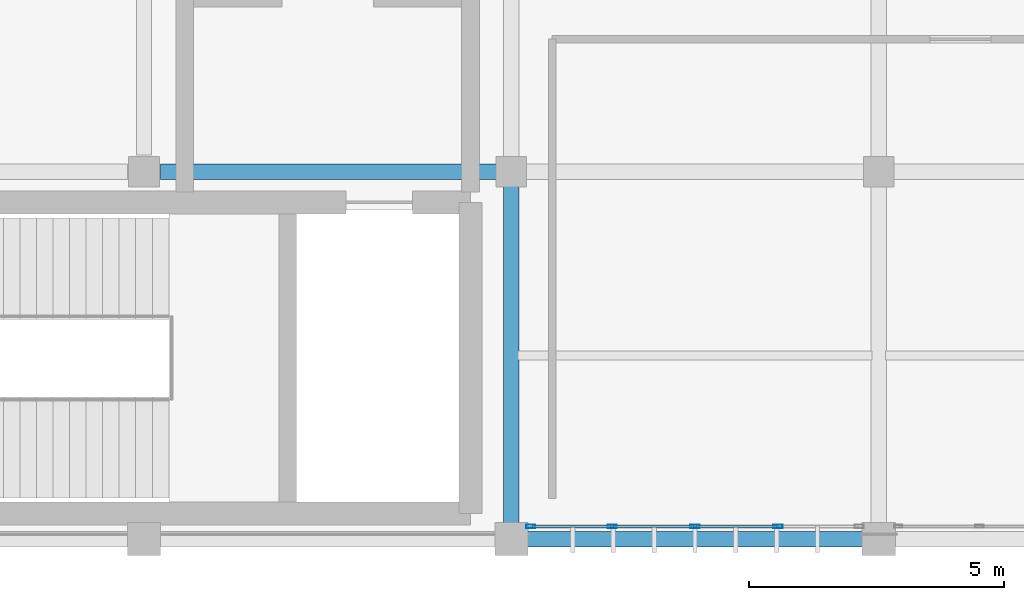
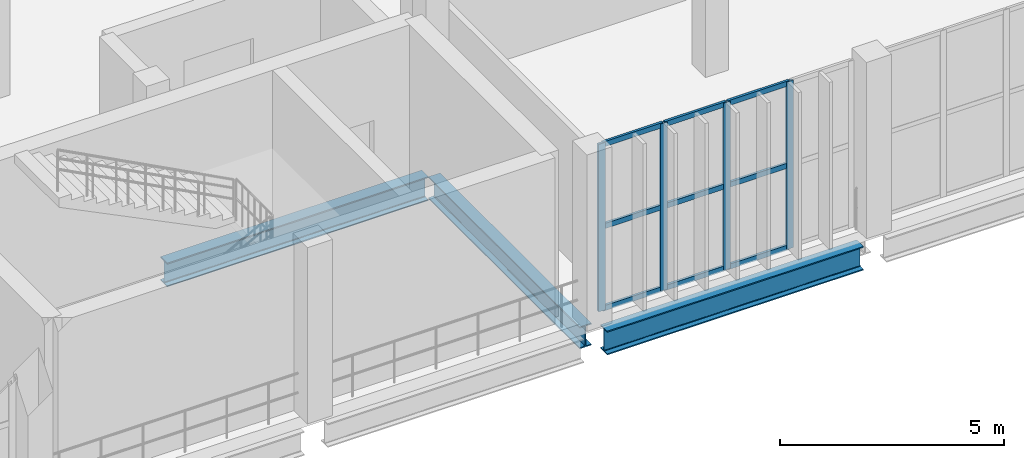
# One storey, part 21 of 105: 13 members, 3 beams, 1 element without a shape of its own.
"""IFC4 building model written with IfcOpenShell, lengths in metres."""

import ifcopenshell
import ifcopenshell.guid

model = None  # the IFC model being written
_history = None  # IfcOwnerHistory: only IFC2X3 demands one
_inside = {}  # id of a spatial element -> (the spatial element, [elements in it])
_under = {}  # id of a project, library or spatial element -> (it, [spatial elements below it])
_declared = {}  # id of a project -> (the project, [libraries it declares])
_typed = {}  # id of a type object -> (the type object, [elements of that type])
_made_of = {}  # id of a material, layer set ... -> (it, [elements and type objects made of it])


def new_model(schema):
    """Start an empty IFC model of exactly this schema.

    Asked for "IFC4X3", IfcOpenShell would pick the latest addendum, in which some entities
    have other attributes; the version numbers below select the first issue.
    IFC2X3 requires an IfcOwnerHistory on every rooted entity: one is made here for all.
    """
    global model, _history
    if schema == "IFC4X3":
        model = ifcopenshell.file(schema_version=(4, 3, 0, 0))
    else:
        model = ifcopenshell.file(schema=schema)
    _inside.clear()
    _under.clear()
    _declared.clear()
    _typed.clear()
    _made_of.clear()
    _history = None
    if model.schema == "IFC2X3":
        org = make("IfcOrganization", Name="unknown")
        user = make(
            "IfcPersonAndOrganization",
            ThePerson=make("IfcPerson", FamilyName="unknown"),
            TheOrganization=org,
        )
        app = make(
            "IfcApplication",
            ApplicationDeveloper=org,
            Version="unknown",
            ApplicationFullName="unknown",
            ApplicationIdentifier="unknown",
        )
        _history = make(
            "IfcOwnerHistory",
            OwningUser=user,
            OwningApplication=app,
            ChangeAction="ADDED",
            CreationDate=0,
        )
    return model


def make(cls, **values):
    """One entity of the class cls with the attributes given. An attribute that is None is left unset."""
    return model.create_entity(
        cls, **{name: value for name, value in values.items() if value is not None}
    )


def rooted(cls, **values):
    """An entity with a GlobalId (a new one), such as an element, a storey or a relation."""
    return make(cls, GlobalId=ifcopenshell.guid.new(), OwnerHistory=_history, **values)


def si_unit(unit_type, name, prefix=None):
    """IfcSIUnit, for example si_unit("LENGTHUNIT", "METRE", prefix="MILLI")."""
    return make("IfcSIUnit", UnitType=unit_type, Prefix=prefix, Name=name)


def assignment(units):
    """IfcUnitAssignment: the units of a project."""
    return None if units is None else make("IfcUnitAssignment", Units=units)


def point(xyz):
    """IfcCartesianPoint."""
    return None if xyz is None else make("IfcCartesianPoint", Coordinates=xyz)


def direction(xyz):
    """IfcDirection."""
    return None if xyz is None else make("IfcDirection", DirectionRatios=xyz)


def frame(location, z_axis=None, x_axis=None):
    """IfcAxis2Placement3D, a coordinate frame: its origin and axes. An axis left out is left unset."""
    return make(
        "IfcAxis2Placement3D",
        Location=point(location),
        Axis=direction(z_axis),
        RefDirection=direction(x_axis),
    )


def frame_2d(location, x_axis=None):
    """IfcAxis2Placement2D, a coordinate frame in the plane: its origin and x axis."""
    return make(
        "IfcAxis2Placement2D", Location=point(location), RefDirection=direction(x_axis)
    )


def origin():
    """The frame at (0, 0, 0) with its axes left unset."""
    return frame((0.0, 0.0, 0.0))


def origin_2d():
    """The frame at (0, 0) in the plane with its x axis left unset."""
    return frame_2d((0.0, 0.0))


def place(relative_to, where):
    """IfcLocalPlacement: puts the frame where relative to a parent placement (None: the world)."""
    return make(
        "IfcLocalPlacement", PlacementRelTo=relative_to, RelativePlacement=where
    )


def context(
    kind, dimensions, precision=None, world=None, true_north=None, identifier=None
):
    """IfcGeometricRepresentationContext, for example the 3D "Model" context."""
    return make(
        "IfcGeometricRepresentationContext",
        ContextIdentifier=identifier,
        ContextType=kind,
        CoordinateSpaceDimension=dimensions,
        Precision=precision,
        WorldCoordinateSystem=world,
        TrueNorth=true_north,
    )


def subcontext(parent, identifier, kind, view, scale=None):
    """IfcGeometricRepresentationSubContext, for example "Body" below "Model"."""
    return make(
        "IfcGeometricRepresentationSubContext",
        ContextIdentifier=identifier,
        ContextType=kind,
        ParentContext=parent,
        TargetScale=scale,
        TargetView=view,
    )


def project(units=None, contexts=None):
    """IfcProject with its units and contexts."""
    return rooted(
        "IfcProject",
        Name="project",
        RepresentationContexts=contexts,
        UnitsInContext=assignment(units),
    )


def spatial(cls, under=None, at=None, **own):
    """A site, building, storey or space (cls), placed at a placement, below another one or the project."""
    s = rooted(cls, ObjectPlacement=at, **own)
    if under is not None:
        _under.setdefault(under.id(), (under, []))[1].append(s)
    return s


def profile(cls, at=None, kind="AREA", **sizes):
    """A parametric profile (cls). Its sizes go by their IFC names, for example OverallWidth=200.0."""
    return make(cls, ProfileType=kind, Position=at, **sizes)


def hollow_rectangle(**sizes):
    """IfcRectangleHollowProfileDef."""
    return profile("IfcRectangleHollowProfileDef", **sizes)


def i_section(**sizes):
    """IfcIShapeProfileDef."""
    return profile("IfcIShapeProfileDef", **sizes)


def extrude(swept, where, along, depth):
    """IfcExtrudedAreaSolid: the profile swept, set in the frame where, extruded along a direction by depth."""
    return make(
        "IfcExtrudedAreaSolid",
        SweptArea=swept,
        Position=where,
        ExtrudedDirection=direction(along),
        Depth=depth,
    )


def shape(context_of_items, identifier, shape_type, items):
    """IfcShapeRepresentation: the items that make up one representation, for example the "Body"."""
    return make(
        "IfcShapeRepresentation",
        ContextOfItems=context_of_items,
        RepresentationIdentifier=identifier,
        RepresentationType=shape_type,
        Items=items,
    )


def material(Name=None, Category=None):
    """IfcMaterial."""
    return make("IfcMaterial", Name=Name, Category=Category)


def material_profile(
    of_material, cross_section, Name=None, Category=None, Priority=None
):
    """IfcMaterialProfile: a cross section and its material."""
    return make(
        "IfcMaterialProfile",
        Name=Name,
        Material=of_material,
        Profile=cross_section,
        Priority=Priority,
        Category=Category,
    )


def profile_set(profiles, Name=None, composite=None):
    """IfcMaterialProfileSet."""
    return make(
        "IfcMaterialProfileSet",
        Name=Name,
        MaterialProfiles=profiles,
        CompositeProfile=composite,
    )


def made_of(thing, what):
    """Note that an element or type object is made of a material, layer set ...; save() writes the relation."""
    if what is not None:
        _made_of.setdefault(what.id(), (what, []))[1].append(thing)
    return thing


def type_object(cls, material=None, **own):
    """A type object (cls), such as IfcWallType, which elements share."""
    return made_of(rooted(cls, **own), material)


def element(
    cls,
    number,
    at=None,
    inside=None,
    cuts=None,
    type_object=None,
    material=None,
    context=None,
    identifier="Body",
    shape_type=None,
    held_by="IfcProductDefinitionShape",
    body=None,
    shapes=None,
    **own,
):
    """One element of the class cls, such as IfcWall. Its Tag is "e" and its number.

    at: its placement. inside: the storey or other place that contains it. cuts: it is an
    opening in that element (IfcRelVoidsElement). A single representation is given by context,
    identifier, shape_type and body (its items); several are given by shapes. held_by: the class
    of the entity that holds the representations. save() writes the other relations.
    """
    e = rooted(cls, Tag="e%d" % number, ObjectPlacement=at, **own)
    if body is not None:
        shapes = [shape(context, identifier, shape_type, body)]
    if shapes is not None:
        e.Representation = make(held_by, Representations=shapes)
    if inside is not None:
        _inside.setdefault(inside.id(), (inside, []))[1].append(e)
    if cuts is not None:
        rooted(
            "IfcRelVoidsElement", RelatingBuildingElement=cuts, RelatedOpeningElement=e
        )
    if type_object is not None:
        _typed.setdefault(type_object.id(), (type_object, []))[1].append(e)
    return made_of(e, material)


def aggregate(whole, parts):
    """IfcRelAggregates: a whole, such as a stair, and the parts it consists of."""
    return rooted("IfcRelAggregates", RelatingObject=whole, RelatedObjects=parts)


def save(model, path):
    """Write the relations noted so far, then the file.

    IfcRelAggregates (storeys below a building ...), IfcRelContainedInSpatialStructure (elements
    in a storey), IfcRelDefinesByType, IfcRelAssociatesMaterial and IfcRelDeclares: one each for
    every whole, place, type object, material and project.
    """
    for whole, parts in _under.values():
        aggregate(whole, parts)
    for where, things in _inside.values():
        rooted(
            "IfcRelContainedInSpatialStructure",
            RelatedElements=things,
            RelatingStructure=where,
        )
    for kind, things in _typed.values():
        rooted("IfcRelDefinesByType", RelatedObjects=things, RelatingType=kind)
    for what, things in _made_of.values():
        rooted("IfcRelAssociatesMaterial", RelatedObjects=things, RelatingMaterial=what)
    for by, libraries in _declared.values():
        rooted("IfcRelDeclares", RelatingContext=by, RelatedDefinitions=libraries)
    model.write(path)


model = new_model("IFC4")

# Units and contexts
model_context = context("Model", 3, precision=1e-05, world=origin(), true_north=direction((0.0, 1.0)))
body_context = subcontext(model_context, "Body", "Model", "MODEL_VIEW")
ifc_project = project(units=[si_unit("LENGTHUNIT", "METRE"), si_unit("AREAUNIT", "SQUARE_METRE"), si_unit("VOLUMEUNIT", "CUBIC_METRE"), si_unit("PLANEANGLEUNIT", "RADIAN"), si_unit("MASSUNIT", "GRAM", prefix="KILO")], contexts=[model_context])

# Site, building, storey
site_placement = place(None, origin())
site = spatial("IfcSite", under=ifc_project, at=site_placement, CompositionType="ELEMENT")
building_placement = place(site_placement, origin())
building = spatial("IfcBuilding", under=site, at=building_placement, Name="Qandorah Velis Arena", CompositionType="ELEMENT")
storey_placement = place(building_placement, frame((0.0, 0.0, 13.800048828125)))
storey = spatial("IfcBuildingStorey", under=building, at=storey_placement, Name="L03", CompositionType="ELEMENT", Elevation=13.800048828125)

# Curtain wall, members
ifc_material_1 = material(Name="Solar-control low-E double glazing", Category="glass")
curtain_wall_type = type_object("IfcCurtainWallType", Name="ARC-CW-SYS22", PredefinedType="USERDEFINED", material=ifc_material_1)
curtain_wall_placement = place(storey_placement, origin())
curtain_wall = element("IfcCurtainWall", 1, at=curtain_wall_placement, inside=storey, type_object=curtain_wall_type, Name="Unitised curtain wall L03-070", ObjectType="UNITISED CURTAIN WALL", PredefinedType="USERDEFINED")
ifc_material_2 = material(Name="Champagne-bronze anodized aluminium 6063-T6", Category="aluminium")
ifc_material_profile_1 = material_profile(ifc_material_2, hollow_rectangle(XDim=0.06494140625, YDim=0.179931640625, WallThickness=0.00341796875, at=origin_2d()), Name="ALU MULLION 65x180")
ifc_profile_set_1 = profile_set([ifc_material_profile_1], Name="Champagne-bronze anodized aluminium 6063-T6")
member_type_1 = type_object("IfcMemberType", Name="ARC-CWM-180", PredefinedType="MULLION", material=ifc_profile_set_1)
member_1_placement = place(storey_placement, frame((86.782470703125, 0.25, -0.01513671875), z_axis=(0.0, 0.0, 1.0), x_axis=(0.0, 1.0, 0.0)))
member_1 = element("IfcMember", 2, at=member_1_placement, type_object=member_type_1, Name="CW22 mullion 1", PredefinedType="MULLION", context=body_context, shape_type="SweptSolid", body=[
    extrude(hollow_rectangle(XDim=0.06494140625, YDim=0.179931640625, WallThickness=0.00341796875, at=origin_2d()), origin(), (0.0, 0.0, 1.0), 4.56005859375),
])
member_2_placement = place(storey_placement, frame((88.375, 0.25, -0.01513671875), z_axis=(0.0, 0.0, 1.0), x_axis=(0.0, 1.0, 0.0)))
member_2 = element("IfcMember", 3, at=member_2_placement, type_object=member_type_1, Name="CW22 mullion 2", PredefinedType="MULLION", context=body_context, shape_type="SweptSolid", body=[
    extrude(hollow_rectangle(XDim=0.06494140625, YDim=0.179931640625, WallThickness=0.00341796875, at=origin_2d()), origin(), (0.0, 0.0, 1.0), 4.56005859375),
])
member_3_placement = place(storey_placement, frame((90.0, 0.25, -0.01513671875), z_axis=(0.0, 0.0, 1.0), x_axis=(0.0, 1.0, 0.0)))
member_3 = element("IfcMember", 4, at=member_3_placement, type_object=member_type_1, Name="CW22 mullion 3", PredefinedType="MULLION", context=body_context, shape_type="SweptSolid", body=[
    extrude(hollow_rectangle(XDim=0.06494140625, YDim=0.179931640625, WallThickness=0.00341796875, at=origin_2d()), origin(), (0.0, 0.0, 1.0), 4.56005859375),
])
member_4_placement = place(storey_placement, frame((91.625, 0.25, -0.01513671875), z_axis=(0.0, 0.0, 1.0), x_axis=(0.0, 1.0, 0.0)))
member_4 = element("IfcMember", 5, at=member_4_placement, type_object=member_type_1, Name="CW22 mullion 4", PredefinedType="MULLION", context=body_context, shape_type="SweptSolid", body=[
    extrude(hollow_rectangle(XDim=0.06494140625, YDim=0.179931640625, WallThickness=0.00341796875, at=origin_2d()), origin(), (0.0, 0.0, 1.0), 4.56005859375),
])
ifc_material_profile_2 = material_profile(ifc_material_2, hollow_rectangle(XDim=0.06494140625, YDim=0.139892578125, WallThickness=0.0029296875, at=origin_2d()), Name="ALU TRANSOM 65x140")
ifc_profile_set_2 = profile_set([ifc_material_profile_2], Name="Champagne-bronze anodized aluminium 6063-T6")
member_type_2 = type_object("IfcMemberType", Name="ARC-CWT-140", PredefinedType="USERDEFINED", material=ifc_profile_set_2)
member_5_placement = place(storey_placement, frame((86.802978515625, 0.25, 0.032470703125), z_axis=(1.0, 0.0, 0.0), x_axis=(0.0, 1.0, 0.0)))
member_5 = element("IfcMember", 6, at=member_5_placement, type_object=member_type_2, Name="CW22 transom 1.1", ObjectType="TRANSOM", PredefinedType="USERDEFINED", context=body_context, shape_type="SweptSolid", body=[
    extrude(hollow_rectangle(XDim=0.06494140625, YDim=0.139892578125, WallThickness=0.0029296875, at=origin_2d()), origin(), (0.0, 0.0, 1.0), 1.551513671875),
])
member_6_placement = place(storey_placement, frame((86.802978515625, 0.25, 2.264892578125), z_axis=(1.0, 0.0, 0.0), x_axis=(0.0, 1.0, 0.0)))
member_6 = element("IfcMember", 7, at=member_6_placement, type_object=member_type_2, Name="CW22 transom 1.2", ObjectType="TRANSOM", PredefinedType="USERDEFINED", context=body_context, shape_type="SweptSolid", body=[
    extrude(hollow_rectangle(XDim=0.06494140625, YDim=0.139892578125, WallThickness=0.0029296875, at=origin_2d()), origin(), (0.0, 0.0, 1.0), 1.551513671875),
])
member_7_placement = place(storey_placement, frame((86.802978515625, 0.25, 4.49755859375), z_axis=(1.0, 0.0, 0.0), x_axis=(0.0, 1.0, 0.0)))
member_7 = element("IfcMember", 8, at=member_7_placement, type_object=member_type_2, Name="CW22 transom 1.3", ObjectType="TRANSOM", PredefinedType="USERDEFINED", context=body_context, shape_type="SweptSolid", body=[
    extrude(hollow_rectangle(XDim=0.06494140625, YDim=0.139892578125, WallThickness=0.0029296875, at=origin_2d()), origin(), (0.0, 0.0, 1.0), 1.551513671875),
])
member_8_placement = place(storey_placement, frame((88.3955078125, 0.25, 0.032470703125), z_axis=(1.0, 0.0, 0.0), x_axis=(0.0, 1.0, 0.0)))
member_8 = element("IfcMember", 9, at=member_8_placement, type_object=member_type_2, Name="CW22 transom 2.1", ObjectType="TRANSOM", PredefinedType="USERDEFINED", context=body_context, shape_type="SweptSolid", body=[
    extrude(hollow_rectangle(XDim=0.06494140625, YDim=0.139892578125, WallThickness=0.0029296875, at=origin_2d()), origin(), (0.0, 0.0, 1.0), 1.583984375),
])
member_9_placement = place(storey_placement, frame((88.3955078125, 0.25, 2.264892578125), z_axis=(1.0, 0.0, 0.0), x_axis=(0.0, 1.0, 0.0)))
member_9 = element("IfcMember", 10, at=member_9_placement, type_object=member_type_2, Name="CW22 transom 2.2", ObjectType="TRANSOM", PredefinedType="USERDEFINED", context=body_context, shape_type="SweptSolid", body=[
    extrude(hollow_rectangle(XDim=0.06494140625, YDim=0.139892578125, WallThickness=0.0029296875, at=origin_2d()), origin(), (0.0, 0.0, 1.0), 1.583984375),
])
member_10_placement = place(storey_placement, frame((88.3955078125, 0.25, 4.49755859375), z_axis=(1.0, 0.0, 0.0), x_axis=(0.0, 1.0, 0.0)))
member_10 = element("IfcMember", 11, at=member_10_placement, type_object=member_type_2, Name="CW22 transom 2.3", ObjectType="TRANSOM", PredefinedType="USERDEFINED", context=body_context, shape_type="SweptSolid", body=[
    extrude(hollow_rectangle(XDim=0.06494140625, YDim=0.139892578125, WallThickness=0.0029296875, at=origin_2d()), origin(), (0.0, 0.0, 1.0), 1.583984375),
])
member_11_placement = place(storey_placement, frame((90.0205078125, 0.25, 0.032470703125), z_axis=(1.0, 0.0, 0.0), x_axis=(0.0, 1.0, 0.0)))
member_11 = element("IfcMember", 12, at=member_11_placement, type_object=member_type_2, Name="CW22 transom 3.1", ObjectType="TRANSOM", PredefinedType="USERDEFINED", context=body_context, shape_type="SweptSolid", body=[
    extrude(hollow_rectangle(XDim=0.06494140625, YDim=0.139892578125, WallThickness=0.0029296875, at=origin_2d()), origin(), (0.0, 0.0, 1.0), 1.583984375),
])
member_12_placement = place(storey_placement, frame((90.0205078125, 0.25, 2.264892578125), z_axis=(1.0, 0.0, 0.0), x_axis=(0.0, 1.0, 0.0)))
member_12 = element("IfcMember", 13, at=member_12_placement, type_object=member_type_2, Name="CW22 transom 3.2", ObjectType="TRANSOM", PredefinedType="USERDEFINED", context=body_context, shape_type="SweptSolid", body=[
    extrude(hollow_rectangle(XDim=0.06494140625, YDim=0.139892578125, WallThickness=0.0029296875, at=origin_2d()), origin(), (0.0, 0.0, 1.0), 1.583984375),
])
member_13_placement = place(storey_placement, frame((90.0205078125, 0.25, 4.49755859375), z_axis=(1.0, 0.0, 0.0), x_axis=(0.0, 1.0, 0.0)))
member_13 = element("IfcMember", 14, at=member_13_placement, type_object=member_type_2, Name="CW22 transom 3.3", ObjectType="TRANSOM", PredefinedType="USERDEFINED", context=body_context, shape_type="SweptSolid", body=[
    extrude(hollow_rectangle(XDim=0.06494140625, YDim=0.139892578125, WallThickness=0.0029296875, at=origin_2d()), origin(), (0.0, 0.0, 1.0), 1.583984375),
])
aggregate(curtain_wall, [member_1, member_2, member_3, member_4, member_5, member_6, member_7, member_8, member_9, member_10, member_11, member_12, member_13])

# Beams
ifc_material_3 = material(Name="Steel S355", Category="steel")
ifc_material_profile_3 = material_profile(ifc_material_3, i_section(OverallWidth=0.300048828125, OverallDepth=0.60009765625, WebThickness=0.015380859375, FlangeThickness=0.030029296875, FilletRadius=0.027099609375, at=origin_2d()), Name="HEB 600")
ifc_profile_set_3 = profile_set([ifc_material_profile_3], Name="Steel S355")
beam_type_1 = type_object("IfcBeamType", Name="STR-BM-HEB600", PredefinedType="BEAM", material=ifc_profile_set_3)
beam_1_placement = place(storey_placement, frame((86.39990234375, 0.300048828125, -0.6201171875), z_axis=(0.0, 1.0, 0.0), x_axis=(-1.0, 0.0, 0.0)))
element("IfcBeam", 15, at=beam_1_placement, inside=storey, type_object=beam_type_1, Name="Primary floor girder L03 Y-268", PredefinedType="BEAM", context=body_context, shape_type="SweptSolid", body=[
    extrude(i_section(OverallWidth=0.300048828125, OverallDepth=0.60009765625, WebThickness=0.015380859375, FlangeThickness=0.030029296875, FilletRadius=0.027099609375, at=origin_2d()), origin(), (0.0, 0.0, 1.0), 6.75),
])
ifc_material_profile_4 = material_profile(ifc_material_3, i_section(OverallWidth=0.300048828125, OverallDepth=0.64990234375, WebThickness=0.01611328125, FlangeThickness=0.031005859375, FilletRadius=0.027099609375, at=origin_2d()), Name="HEB 650")
ifc_profile_set_4 = profile_set([ifc_material_profile_4], Name="Steel S355")
beam_type_2 = type_object("IfcBeamType", Name="STR-BM-HEB650", PredefinedType="BEAM", material=ifc_profile_set_4)
beam_2_placement = place(storey_placement, frame((86.699951171875, 0.0, -0.64501953125), z_axis=(1.0, 0.0, 0.0), x_axis=(0.0, 1.0, 0.0)))
element("IfcBeam", 16, at=beam_2_placement, inside=storey, type_object=beam_type_2, Name="Primary floor girder L03 X-009", PredefinedType="BEAM", context=body_context, shape_type="SweptSolid", body=[
    extrude(i_section(OverallWidth=0.300048828125, OverallDepth=0.64990234375, WebThickness=0.01611328125, FlangeThickness=0.031005859375, FilletRadius=0.027099609375, at=origin_2d()), origin(), (0.0, 0.0, 1.0), 6.60009765625),
])
beam_3_placement = place(storey_placement, frame((79.52490234375, 7.199951171875, -0.64501953125), z_axis=(1.0, 0.0, 0.0), x_axis=(0.0, 1.0, 0.0)))
element("IfcBeam", 17, at=beam_3_placement, inside=storey, type_object=beam_type_2, Name="Primary floor girder L03 X-020", PredefinedType="BEAM", context=body_context, shape_type="SweptSolid", body=[
    extrude(i_section(OverallWidth=0.300048828125, OverallDepth=0.64990234375, WebThickness=0.01611328125, FlangeThickness=0.031005859375, FilletRadius=0.027099609375, at=origin_2d()), origin(), (0.0, 0.0, 1.0), 6.72509765625),
])

save(model, "model.ifc")
